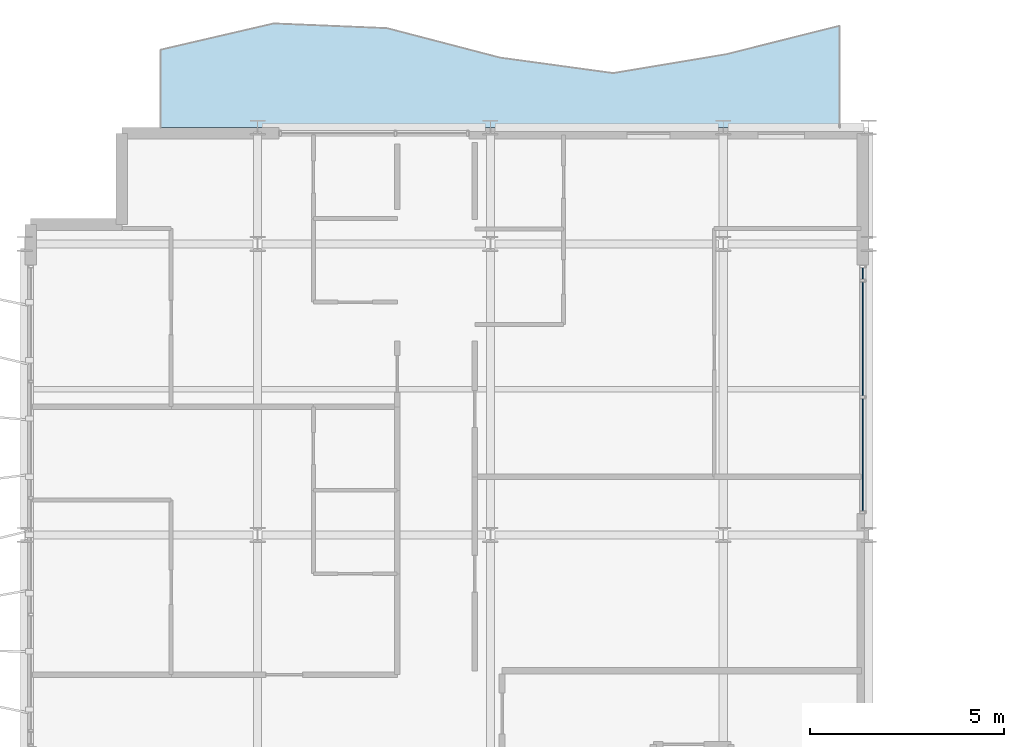
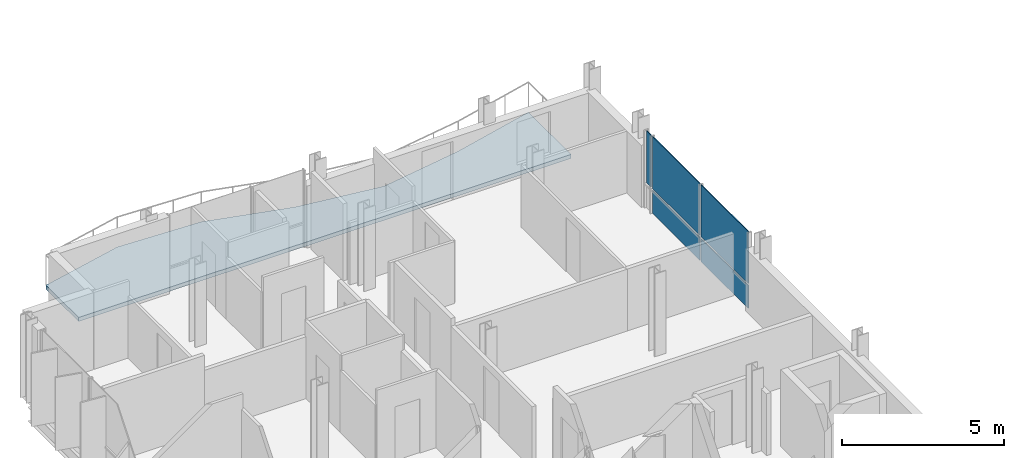
# One storey, part 16 of 29: 5 plates, 1 slab, 1 element without a shape of its own.
"""IFC4 building model written with IfcOpenShell, lengths in metres."""

from ifc_helpers import new_model, si_unit, direction, frame, origin, origin_2d, place, context, subcontext, project, spatial, polyline, rectangle, outline, extrude, material, layer, layer_set, type_object, element, aggregate, save


model = new_model("IFC4")

# Units and contexts
model_context = context("Model", 3, precision=1e-05, world=origin(), true_north=direction((0.0, 1.0)))
body_context = subcontext(model_context, "Body", "Model", "MODEL_VIEW")
ifc_project = project(units=[si_unit("LENGTHUNIT", "METRE"), si_unit("AREAUNIT", "SQUARE_METRE"), si_unit("VOLUMEUNIT", "CUBIC_METRE"), si_unit("PLANEANGLEUNIT", "RADIAN"), si_unit("MASSUNIT", "GRAM", prefix="KILO")], contexts=[model_context])

# Site, building, storey
site_placement = place(None, origin())
site = spatial("IfcSite", under=ifc_project, at=site_placement, CompositionType="ELEMENT")
building_placement = place(site_placement, origin())
building = spatial("IfcBuilding", under=site, at=building_placement, Name="Brevholm Reach", CompositionType="ELEMENT")
storey_placement = place(building_placement, frame((0.0, 0.0, 198.699951171875)))
storey = spatial("IfcBuildingStorey", under=building, at=storey_placement, Name="L60", CompositionType="ELEMENT", Elevation=198.699951171875)

# Curtain wall, plates
ifc_material_1 = material(Name="Dark Anodised Aluminium 6063-T6 and Solar-Control Glass", Category="aluminium")
ifc_layer_1 = layer(ifc_material_1, 0.1650390625)
ifc_layer_set_1 = layer_set([ifc_layer_1], Name="Dark Anodised Aluminium 6063-T6 and Solar-Control Glass")
curtain_wall_type = type_object("IfcCurtainWallType", Name="CW-04", PredefinedType="NOTDEFINED", material=ifc_layer_set_1)
curtain_wall_placement = place(storey_placement, origin())
curtain_wall = element("IfcCurtainWall", 1, at=curtain_wall_placement, inside=storey, type_object=curtain_wall_type, Name="L60 Curtain Wall CW-04", PredefinedType="NOTDEFINED")
ifc_material_2 = material(Name="Dark Solar-Control Double-Glazed IGU Glass", Category="glass")
ifc_layer_2 = layer(ifc_material_2, 0.028076171875)
ifc_layer_set_2 = layer_set([ifc_layer_2], Name="Dark Solar-Control Double-Glazed IGU Glass")
plate_type = type_object("IfcPlateType", Name="CWP-GLZ-28", PredefinedType="CURTAIN_PANEL", material=ifc_layer_set_2)
plate_1_placement = place(storey_placement, frame((21.60009765625, 18.0673828125, 0.0), z_axis=(0.0, 0.0, 1.0), x_axis=(0.0, 1.0, 0.0)))
plate_1 = element("IfcPlate", 2, at=plate_1_placement, type_object=plate_type, Name="CP-01 Glazing Panel 1.1", PredefinedType="CURTAIN_PANEL", context=body_context, shape_type="SweptSolid", body=[
    extrude(rectangle(XDim=2.89501953125, YDim=0.028076171875, at=origin_2d()), origin(), (0.0, 0.0, 1.0), 0.864990234375),
])
plate_2_placement = place(storey_placement, frame((21.60009765625, 18.0673828125, 0.93505859375), z_axis=(0.0, 0.0, 1.0), x_axis=(0.0, 1.0, 0.0)))
plate_2 = element("IfcPlate", 3, at=plate_2_placement, type_object=plate_type, Name="CP-01 Glazing Panel 1.2", PredefinedType="CURTAIN_PANEL", context=body_context, shape_type="SweptSolid", body=[
    extrude(rectangle(XDim=2.89501953125, YDim=0.028076171875, at=origin_2d()), origin(), (0.0, 0.0, 1.0), 1.955078125),
])
plate_3_placement = place(storey_placement, frame((21.60009765625, 21.050048828125, 0.0), z_axis=(0.0, 0.0, 1.0), x_axis=(0.0, 1.0, 0.0)))
plate_3 = element("IfcPlate", 4, at=plate_3_placement, type_object=plate_type, Name="CP-01 Glazing Panel 2.1", PredefinedType="CURTAIN_PANEL", context=body_context, shape_type="SweptSolid", body=[
    extrude(rectangle(XDim=2.929931640625, YDim=0.028076171875, at=origin_2d()), origin(), (0.0, 0.0, 1.0), 0.864990234375),
])
plate_4_placement = place(storey_placement, frame((21.60009765625, 21.050048828125, 0.93505859375), z_axis=(0.0, 0.0, 1.0), x_axis=(0.0, 1.0, 0.0)))
plate_4 = element("IfcPlate", 5, at=plate_4_placement, type_object=plate_type, Name="CP-01 Glazing Panel 2.2", PredefinedType="CURTAIN_PANEL", context=body_context, shape_type="SweptSolid", body=[
    extrude(rectangle(XDim=2.929931640625, YDim=0.028076171875, at=origin_2d()), origin(), (0.0, 0.0, 1.0), 1.955078125),
])
plate_5_placement = place(storey_placement, frame((21.60009765625, 22.732421875, 0.93505859375), z_axis=(0.0, 0.0, 1.0), x_axis=(0.0, 1.0, 0.0)))
plate_5 = element("IfcPlate", 6, at=plate_5_placement, type_object=plate_type, Name="CP-01 Glazing Panel 3.2", PredefinedType="CURTAIN_PANEL", context=body_context, shape_type="SweptSolid", body=[
    extrude(rectangle(XDim=0.294921875, YDim=0.028076171875, at=origin_2d()), origin(), (0.0, 0.0, 1.0), 1.955078125),
])
aggregate(curtain_wall, [plate_1, plate_2, plate_3, plate_4, plate_5])

# Slab
ifc_material_3 = material(Name="Precast Concrete C45/55", Category="concrete")
ifc_layer_3 = layer(ifc_material_3, 0.14990234375)
ifc_layer_set_3 = layer_set([ifc_layer_3], Name="Precast Concrete C45/55")
slab_type = type_object("IfcSlabType", Name="SLB-BAL-150", PredefinedType="FLOOR", material=ifc_layer_set_3)
slab_placement = place(storey_placement, frame((0.0, 0.0, -0.14990234375)))
element("IfcSlab", 7, at=slab_placement, inside=storey, type_object=slab_type, Name="L60 Rippling External Balcony NW", PredefinedType="FLOOR", context=body_context, shape_type="SweptSolid", body=[
    extrude(outline(polyline([(3.5, 26.5), (21.0, 26.5), (21.0, 29.12109375), (18.083251953125, 28.388916015625), (15.166748046875, 27.901611328125), (12.25, 28.300537109375), (9.333251953125, 29.060546875), (6.416748046875, 29.181640625), (3.5, 28.50439453125), (3.5, 26.5)])), origin(), (0.0, 0.0, 1.0), 0.14990234375),
])

save(model, "model.ifc")
